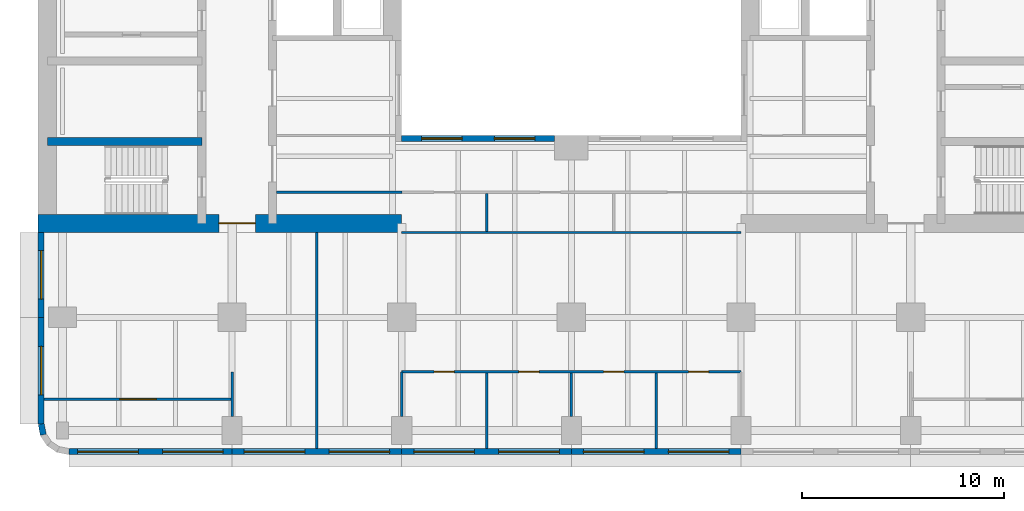
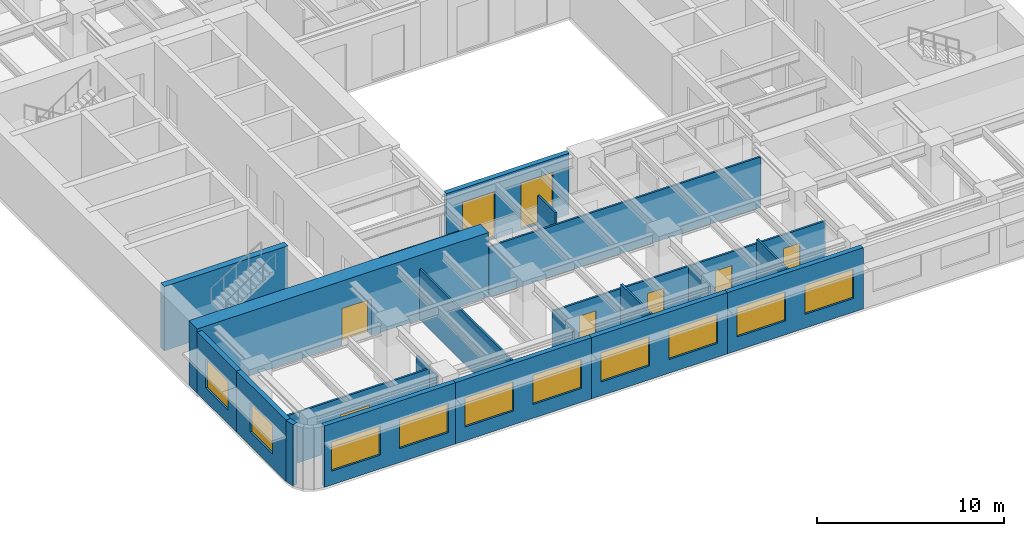
# One storey, part 3 of 11: 21 walls, 12 windows, 6 doors, 18 openings.
"""IFC4 building model written with IfcOpenShell, lengths in metres."""

from ifc_helpers import new_model, si_unit, direction, frame, frame_2d, origin, place, context, subcontext, project, spatial, rectangle, extrude, material, layer, layer_set, type_object, element, fill, save


model = new_model("IFC4")

# Units and contexts
model_context = context("Model", 3, precision=1e-05, world=origin(), true_north=direction((0.0, 1.0)))
body_context = subcontext(model_context, "Body", "Model", "MODEL_VIEW")
ifc_project = project(units=[si_unit("LENGTHUNIT", "METRE"), si_unit("AREAUNIT", "SQUARE_METRE"), si_unit("VOLUMEUNIT", "CUBIC_METRE"), si_unit("PLANEANGLEUNIT", "RADIAN"), si_unit("MASSUNIT", "GRAM", prefix="KILO")], contexts=[model_context])

# Site, building, storey
site_placement = place(None, origin())
site = spatial("IfcSite", under=ifc_project, at=site_placement, CompositionType="ELEMENT")
building_placement = place(site_placement, origin())
building = spatial("IfcBuilding", under=site, at=building_placement, Name="Claustro Exchange Tower", CompositionType="ELEMENT")
storey_placement = place(building_placement, frame((0.0, 0.0, 163.800048828125)))
storey = spatial("IfcBuildingStorey", under=building, at=storey_placement, Name="L37", CompositionType="ELEMENT", Elevation=163.800048828125)

# Wall, opening, door
ifc_material_1 = material(Name="Laminated glass in aluminium frame", Category="aluminium")
ifc_layer_1 = layer(ifc_material_1, 0.1201171875)
ifc_layer_set_1 = layer_set([ifc_layer_1], Name="Laminated glass in aluminium frame")
wall_type_1 = type_object("IfcWallType", Name="P2 120 glazed partition", PredefinedType="PARTITIONING", material=ifc_layer_set_1)
wall_1_placement = place(storey_placement, frame((-0.902099609375, 4.35009765625, 0.0), z_axis=(0.0, 0.0, 1.0), x_axis=(1.0, 0.0, 0.0)))
wall_1 = element("IfcWall", 1, at=wall_1_placement, inside=storey, type_object=wall_type_1, Name="Partition P2 L37", PredefinedType="PARTITIONING", context=body_context, shape_type="SweptSolid", body=[
    extrude(rectangle(XDim=9.244140625, YDim=0.1201171875, at=frame_2d((4.6220703125, 0.0))), origin(), (0.0, 0.0, 1.0), 3.300048828125),
])
opening_1_placement = place(wall_1_placement, frame((3.751953125, 0.0, 0.0)))
opening_1 = element("IfcOpeningElement", 2, at=opening_1_placement, cuts=wall_1, Name="Opening D2", PredefinedType="OPENING", context=body_context, shape_type="SweptSolid", body=[
    extrude(rectangle(XDim=1.800048828125, YDim=2.199951171875, at=frame_2d((0.89990234375, 1.10009765625))), frame((0.0, 0.070068359375, 0.0), z_axis=(0.0, -1.0, 0.0), x_axis=(1.0, 0.0, 0.0)), (0.0, 0.0, 1.0), 0.14013671875),
])
ifc_material_2 = material(Name="Timber door, oak veneer", Category="wood")
door_type_1 = type_object("IfcDoorType", Name="D2 1800 x 2200 double door", OperationType="DOUBLE_DOOR_SINGLE_SWING", PredefinedType="DOOR", material=ifc_material_2)
door_1_placement = place(opening_1_placement, frame((1.800048828125, 0.0, 0.0), z_axis=(0.0, 0.0, 1.0), x_axis=(-1.0, 0.0, 0.0)))
door_1 = element("IfcDoor", 3, at=door_1_placement, inside=storey, type_object=door_type_1, Name="Double door D2 L37", OperationType="DOUBLE_DOOR_SINGLE_SWING", OverallHeight=2.199951171875, OverallWidth=1.800048828125, PredefinedType="DOOR", context=body_context, shape_type="SweptSolid", body=[
    extrude(rectangle(XDim=1.800048828125, YDim=2.199951171875, at=frame_2d((0.89990234375, 1.10009765625))), frame((0.0, 0.02490234375, 0.0), z_axis=(0.0, -1.0, 0.0), x_axis=(1.0, 0.0, 0.0)), (0.0, 0.0, 1.0), 0.050048828125),
])
fill(opening_1, door_1)

# Wall
wall_2_placement = place(storey_placement, frame((8.39990234375, 3.4990234375, 0.0), z_axis=(0.0, 0.0, 1.0), x_axis=(0.0, 1.0, 0.0)))
element("IfcWall", 4, at=wall_2_placement, inside=storey, type_object=wall_type_1, Name="Partition P2 L37", PredefinedType="PARTITIONING", context=body_context, shape_type="SweptSolid", body=[
    extrude(rectangle(XDim=2.200927734375, YDim=0.1201171875, at=frame_2d((1.1005859375, 0.0))), origin(), (0.0, 0.0, 1.0), 3.300048828125),
])

# Wall, openings, doors
wall_3_placement = place(storey_placement, frame((16.800048828125, 5.699951171875, 0.0), z_axis=(0.0, 0.0, 1.0), x_axis=(1.0, 0.0, 0.0)))
wall_3 = element("IfcWall", 5, at=wall_3_placement, inside=storey, type_object=wall_type_1, Name="Partition P2 L37", PredefinedType="PARTITIONING", context=body_context, shape_type="SweptSolid", body=[
    extrude(rectangle(XDim=16.800048828125, YDim=0.1201171875, at=frame_2d((8.39990234375, 0.0))), origin(), (0.0, 0.0, 1.0), 3.300048828125),
])
opening_2_placement = place(wall_3_placement, frame((1.60009765625, 0.0, 0.0)))
opening_2 = element("IfcOpeningElement", 6, at=opening_2_placement, cuts=wall_3, Name="Opening D7", PredefinedType="OPENING", context=body_context, shape_type="SweptSolid", body=[
    extrude(rectangle(XDim=1.0, YDim=2.39990234375, at=frame_2d((0.5, 1.199951171875))), frame((0.0, 0.070068359375, 0.0), z_axis=(0.0, -1.0, 0.0), x_axis=(1.0, 0.0, 0.0)), (0.0, 0.0, 1.0), 0.14013671875),
])
opening_3_placement = place(wall_3_placement, frame((5.800048828125, 0.0, 0.0)))
opening_3 = element("IfcOpeningElement", 7, at=opening_3_placement, cuts=wall_3, Name="Opening D7", PredefinedType="OPENING", context=body_context, shape_type="SweptSolid", body=[
    extrude(rectangle(XDim=1.0, YDim=2.39990234375, at=frame_2d((0.5, 1.199951171875))), frame((0.0, 0.070068359375, 0.0), z_axis=(0.0, -1.0, 0.0), x_axis=(1.0, 0.0, 0.0)), (0.0, 0.0, 1.0), 0.14013671875),
])
opening_4_placement = place(wall_3_placement, frame((10.0, 0.0, 0.0)))
opening_4 = element("IfcOpeningElement", 8, at=opening_4_placement, cuts=wall_3, Name="Opening D7", PredefinedType="OPENING", context=body_context, shape_type="SweptSolid", body=[
    extrude(rectangle(XDim=1.0, YDim=2.39990234375, at=frame_2d((0.5, 1.199951171875))), frame((0.0, 0.070068359375, 0.0), z_axis=(0.0, -1.0, 0.0), x_axis=(1.0, 0.0, 0.0)), (0.0, 0.0, 1.0), 0.14013671875),
])
opening_5_placement = place(wall_3_placement, frame((14.199951171875, 0.0, 0.0)))
opening_5 = element("IfcOpeningElement", 9, at=opening_5_placement, cuts=wall_3, Name="Opening D7", PredefinedType="OPENING", context=body_context, shape_type="SweptSolid", body=[
    extrude(rectangle(XDim=1.0, YDim=2.39990234375, at=frame_2d((0.5, 1.199951171875))), frame((0.0, 0.070068359375, 0.0), z_axis=(0.0, -1.0, 0.0), x_axis=(1.0, 0.0, 0.0)), (0.0, 0.0, 1.0), 0.14013671875),
])
ifc_material_3 = material(Name="Glass door in aluminium frame", Category="aluminium")
door_type_2 = type_object("IfcDoorType", Name="D7 1000 x 2400 glazed door", OperationType="SINGLE_SWING_LEFT", PredefinedType="DOOR", material=ifc_material_3)
door_2_placement = place(opening_2_placement, frame((1.0, 0.0, 0.0), z_axis=(0.0, 0.0, 1.0), x_axis=(-1.0, 0.0, 0.0)))
door_2 = element("IfcDoor", 10, at=door_2_placement, inside=storey, type_object=door_type_2, Name="Door D7 L37", OperationType="SINGLE_SWING_LEFT", OverallHeight=2.39990234375, OverallWidth=1.0, PredefinedType="DOOR", context=body_context, shape_type="SweptSolid", body=[
    extrude(rectangle(XDim=1.0, YDim=2.39990234375, at=frame_2d((0.5, 1.199951171875))), frame((0.0, 0.02490234375, 0.0), z_axis=(0.0, -1.0, 0.0), x_axis=(1.0, 0.0, 0.0)), (0.0, 0.0, 1.0), 0.050048828125),
])
fill(opening_2, door_2)
door_3_placement = place(opening_3_placement, frame((1.0, 0.0, 0.0), z_axis=(0.0, 0.0, 1.0), x_axis=(-1.0, 0.0, 0.0)))
door_3 = element("IfcDoor", 11, at=door_3_placement, inside=storey, type_object=door_type_2, Name="Door D7 L37", OperationType="SINGLE_SWING_LEFT", OverallHeight=2.39990234375, OverallWidth=1.0, PredefinedType="DOOR", context=body_context, shape_type="SweptSolid", body=[
    extrude(rectangle(XDim=1.0, YDim=2.39990234375, at=frame_2d((0.5, 1.199951171875))), frame((0.0, 0.02490234375, 0.0), z_axis=(0.0, -1.0, 0.0), x_axis=(1.0, 0.0, 0.0)), (0.0, 0.0, 1.0), 0.050048828125),
])
fill(opening_3, door_3)
door_4_placement = place(opening_4_placement, frame((1.0, 0.0, 0.0), z_axis=(0.0, 0.0, 1.0), x_axis=(-1.0, 0.0, 0.0)))
door_4 = element("IfcDoor", 12, at=door_4_placement, inside=storey, type_object=door_type_2, Name="Door D7 L37", OperationType="SINGLE_SWING_LEFT", OverallHeight=2.39990234375, OverallWidth=1.0, PredefinedType="DOOR", context=body_context, shape_type="SweptSolid", body=[
    extrude(rectangle(XDim=1.0, YDim=2.39990234375, at=frame_2d((0.5, 1.199951171875))), frame((0.0, 0.02490234375, 0.0), z_axis=(0.0, -1.0, 0.0), x_axis=(1.0, 0.0, 0.0)), (0.0, 0.0, 1.0), 0.050048828125),
])
fill(opening_4, door_4)
door_5_placement = place(opening_5_placement, frame((1.0, 0.0, 0.0), z_axis=(0.0, 0.0, 1.0), x_axis=(-1.0, 0.0, 0.0)))
door_5 = element("IfcDoor", 13, at=door_5_placement, inside=storey, type_object=door_type_2, Name="Door D7 L37", OperationType="SINGLE_SWING_RIGHT", OverallHeight=2.39990234375, OverallWidth=1.0, PredefinedType="DOOR", context=body_context, shape_type="SweptSolid", body=[
    extrude(rectangle(XDim=1.0, YDim=2.39990234375, at=frame_2d((0.5, 1.199951171875))), frame((0.0, 0.02490234375, 0.0), z_axis=(0.0, -1.0, 0.0), x_axis=(1.0, 0.0, 0.0)), (0.0, 0.0, 1.0), 0.050048828125),
])
fill(opening_5, door_5)

# Walls
wall_4_placement = place(storey_placement, frame((16.800048828125, 3.4990234375, 0.0), z_axis=(0.0, 0.0, 1.0), x_axis=(0.0, 1.0, 0.0)))
element("IfcWall", 14, at=wall_4_placement, inside=storey, type_object=wall_type_1, Name="Partition P2 L37", PredefinedType="PARTITIONING", context=body_context, shape_type="SweptSolid", body=[
    extrude(rectangle(XDim=2.200927734375, YDim=0.1201171875, at=frame_2d((1.1005859375, 0.0))), origin(), (0.0, 0.0, 1.0), 3.300048828125),
])
wall_5_placement = place(storey_placement, frame((21.0, 1.89794921875, 0.0), z_axis=(0.0, 0.0, 1.0), x_axis=(0.0, 1.0, 0.0)))
element("IfcWall", 15, at=wall_5_placement, inside=storey, type_object=wall_type_1, Name="Partition P2 L37", PredefinedType="PARTITIONING", context=body_context, shape_type="SweptSolid", body=[
    extrude(rectangle(XDim=3.744140625, YDim=0.1201171875, at=frame_2d((1.8720703125, 0.0))), origin(), (0.0, 0.0, 1.0), 3.593017578125),
])
wall_6_placement = place(storey_placement, frame((25.199951171875, 3.4990234375, 0.0), z_axis=(0.0, 0.0, 1.0), x_axis=(0.0, 1.0, 0.0)))
element("IfcWall", 16, at=wall_6_placement, inside=storey, type_object=wall_type_1, Name="Partition P2 L37", PredefinedType="PARTITIONING", context=body_context, shape_type="SweptSolid", body=[
    extrude(rectangle(XDim=2.14306640625, YDim=0.1201171875, at=frame_2d((1.071533203125, 0.0))), origin(), (0.0, 0.0, 1.0), 3.300048828125),
])
wall_7_placement = place(storey_placement, frame((29.39990234375, 1.89794921875, 0.0), z_axis=(0.0, 0.0, 1.0), x_axis=(0.0, 1.0, 0.0)))
element("IfcWall", 17, at=wall_7_placement, inside=storey, type_object=wall_type_1, Name="Partition P2 L37", PredefinedType="PARTITIONING", context=body_context, shape_type="SweptSolid", body=[
    extrude(rectangle(XDim=3.744140625, YDim=0.1201171875, at=frame_2d((1.8720703125, 0.0))), origin(), (0.0, 0.0, 1.0), 3.593017578125),
])
wall_8_placement = place(storey_placement, frame((12.60009765625, 1.89794921875, 0.0), z_axis=(0.0, 0.0, 1.0), x_axis=(0.0, 1.0, 0.0)))
element("IfcWall", 18, at=wall_8_placement, inside=storey, type_object=wall_type_1, Name="Partition P2 L37", PredefinedType="PARTITIONING", context=body_context, shape_type="SweptSolid", body=[
    extrude(rectangle(XDim=10.7041015625, YDim=0.1201171875, at=frame_2d((5.35205078125, 0.0))), origin(), (0.0, 0.0, 1.0), 3.300048828125),
])
wall_9_placement = place(storey_placement, frame((10.597900390625, 14.60009765625, 0.0), z_axis=(0.0, 0.0, 1.0), x_axis=(1.0, 0.0, 0.0)))
element("IfcWall", 19, at=wall_9_placement, inside=storey, type_object=wall_type_1, Name="Partition P2 L37", PredefinedType="PARTITIONING", context=body_context, shape_type="SweptSolid", body=[
    extrude(rectangle(XDim=6.2041015625, YDim=0.1201171875, at=frame_2d((3.10205078125, 0.0))), origin(), (0.0, 0.0, 1.0), 3.300048828125),
])
wall_10_placement = place(storey_placement, frame((21.0, 12.657958984375, 0.0), z_axis=(0.0, 0.0, 1.0), x_axis=(0.0, 1.0, 0.0)))
element("IfcWall", 20, at=wall_10_placement, inside=storey, type_object=wall_type_1, Name="Partition P2 L37", PredefinedType="PARTITIONING", context=body_context, shape_type="SweptSolid", body=[
    extrude(rectangle(XDim=1.884033203125, YDim=0.1201171875, at=frame_2d((0.94189453125, 0.0))), origin(), (0.0, 0.0, 1.0), 4.0),
])
wall_11_placement = place(storey_placement, frame((16.800048828125, 12.60009765625, 0.0), z_axis=(0.0, 0.0, 1.0), x_axis=(1.0, 0.0, 0.0)))
element("IfcWall", 21, at=wall_11_placement, inside=storey, type_object=wall_type_1, Name="Partition P2 L37", PredefinedType="PARTITIONING", context=body_context, shape_type="SweptSolid", body=[
    extrude(rectangle(XDim=16.800048828125, YDim=0.1201171875, at=frame_2d((8.39990234375, 0.0))), origin(), (0.0, 0.0, 1.0), 3.300048828125),
])

# Wall, openings, windows
ifc_material_4 = material(Name="Concrete HA-40 (C40/50), precast, white cement, acid-etched", Category="concrete")
ifc_layer_2 = layer(ifc_material_4, 0.300048828125)
ifc_layer_set_2 = layer_set([ifc_layer_2], Name="Concrete HA-40 (C40/50), precast, white cement, acid-etched")
wall_type_2 = type_object("IfcWallType", Name="PC1 300 precast concrete pier panel", PredefinedType="SOLIDWALL", material=ifc_layer_set_2)
wall_12_placement = place(storey_placement, frame((33.60009765625, 1.75, 0.0), z_axis=(0.0, 0.0, 1.0), x_axis=(-1.0, 0.0, 0.0)))
wall_12 = element("IfcWall", 22, at=wall_12_placement, inside=storey, type_object=wall_type_2, Name="Precast pier panel PC1 L37", PredefinedType="SOLIDWALL", context=body_context, shape_type="SweptSolid", body=[
    extrude(rectangle(XDim=8.400146484375, YDim=0.300048828125, at=frame_2d((4.2001953125, 0.0))), origin(), (0.0, 0.0, 1.0), 4.0),
])
opening_6_placement = place(wall_12_placement, frame((0.60009765625, 0.0, 0.89990234375)))
opening_6 = element("IfcOpeningElement", 23, at=opening_6_placement, cuts=wall_12, Name="Opening W1", PredefinedType="OPENING", context=body_context, shape_type="SweptSolid", body=[
    extrude(rectangle(XDim=3.0, YDim=1.89990234375, at=frame_2d((1.5, 0.949951171875))), frame((0.0, 0.159912109375, 0.0), z_axis=(0.0, -1.0, 0.0), x_axis=(1.0, 0.0, 0.0)), (0.0, 0.0, 1.0), 0.320068359375),
])
opening_7_placement = place(wall_12_placement, frame((4.800048828125, 0.0, 0.89990234375)))
opening_7 = element("IfcOpeningElement", 24, at=opening_7_placement, cuts=wall_12, Name="Opening W1", PredefinedType="OPENING", context=body_context, shape_type="SweptSolid", body=[
    extrude(rectangle(XDim=3.0, YDim=1.89990234375, at=frame_2d((1.5, 0.949951171875))), frame((0.0, 0.159912109375, 0.0), z_axis=(0.0, -1.0, 0.0), x_axis=(1.0, 0.0, 0.0)), (0.0, 0.0, 1.0), 0.320068359375),
])
ifc_material_5 = material(Name="Aluminium frame, clear double glazing", Category="aluminium")
window_type_1 = type_object("IfcWindowType", Name="W1 3000 x 1900 window", PartitioningType="SINGLE_PANEL", PredefinedType="WINDOW", material=ifc_material_5)
window_1_placement = place(opening_6_placement, origin())
window_1 = element("IfcWindow", 25, at=window_1_placement, inside=storey, type_object=window_type_1, Name="Window W1 L37", OverallHeight=1.89990234375, OverallWidth=3.0, PartitioningType="SINGLE_PANEL", PredefinedType="WINDOW", context=body_context, shape_type="SweptSolid", body=[
    extrude(rectangle(XDim=3.0, YDim=1.89990234375, at=frame_2d((1.5, 0.949951171875))), frame((0.0, 0.030029296875, 0.0), z_axis=(0.0, -1.0, 0.0), x_axis=(1.0, 0.0, 0.0)), (0.0, 0.0, 1.0), 0.06005859375),
])
fill(opening_6, window_1)
window_2_placement = place(opening_7_placement, origin())
window_2 = element("IfcWindow", 26, at=window_2_placement, inside=storey, type_object=window_type_1, Name="Window W1 L37", OverallHeight=1.89990234375, OverallWidth=3.0, PartitioningType="SINGLE_PANEL", PredefinedType="WINDOW", context=body_context, shape_type="SweptSolid", body=[
    extrude(rectangle(XDim=3.0, YDim=1.89990234375, at=frame_2d((1.5, 0.949951171875))), frame((0.0, 0.030029296875, 0.0), z_axis=(0.0, -1.0, 0.0), x_axis=(1.0, 0.0, 0.0)), (0.0, 0.0, 1.0), 0.06005859375),
])
fill(opening_7, window_2)

wall_13_placement = place(storey_placement, frame((25.199951171875, 1.75, 0.0), z_axis=(0.0, 0.0, 1.0), x_axis=(-1.0, 0.0, 0.0)))
wall_13 = element("IfcWall", 27, at=wall_13_placement, inside=storey, type_object=wall_type_2, Name="Precast pier panel PC1 L37", PredefinedType="SOLIDWALL", context=body_context, shape_type="SweptSolid", body=[
    extrude(rectangle(XDim=8.39990234375, YDim=0.300048828125, at=frame_2d((4.199951171875, 0.0))), origin(), (0.0, 0.0, 1.0), 4.0),
])
opening_8_placement = place(wall_13_placement, frame((0.60009765625, 0.0, 0.89990234375)))
opening_8 = element("IfcOpeningElement", 28, at=opening_8_placement, cuts=wall_13, Name="Opening W1", PredefinedType="OPENING", context=body_context, shape_type="SweptSolid", body=[
    extrude(rectangle(XDim=3.0, YDim=1.89990234375, at=frame_2d((1.5, 0.949951171875))), frame((0.0, 0.159912109375, 0.0), z_axis=(0.0, -1.0, 0.0), x_axis=(1.0, 0.0, 0.0)), (0.0, 0.0, 1.0), 0.320068359375),
])
opening_9_placement = place(wall_13_placement, frame((4.800048828125, 0.0, 0.89990234375)))
opening_9 = element("IfcOpeningElement", 29, at=opening_9_placement, cuts=wall_13, Name="Opening W1", PredefinedType="OPENING", context=body_context, shape_type="SweptSolid", body=[
    extrude(rectangle(XDim=3.0, YDim=1.89990234375, at=frame_2d((1.5, 0.949951171875))), frame((0.0, 0.159912109375, 0.0), z_axis=(0.0, -1.0, 0.0), x_axis=(1.0, 0.0, 0.0)), (0.0, 0.0, 1.0), 0.320068359375),
])
window_3_placement = place(opening_8_placement, origin())
window_3 = element("IfcWindow", 30, at=window_3_placement, inside=storey, type_object=window_type_1, Name="Window W1 L37", OverallHeight=1.89990234375, OverallWidth=3.0, PartitioningType="SINGLE_PANEL", PredefinedType="WINDOW", context=body_context, shape_type="SweptSolid", body=[
    extrude(rectangle(XDim=3.0, YDim=1.89990234375, at=frame_2d((1.5, 0.949951171875))), frame((0.0, 0.030029296875, 0.0), z_axis=(0.0, -1.0, 0.0), x_axis=(1.0, 0.0, 0.0)), (0.0, 0.0, 1.0), 0.06005859375),
])
fill(opening_8, window_3)
window_4_placement = place(opening_9_placement, origin())
window_4 = element("IfcWindow", 31, at=window_4_placement, inside=storey, type_object=window_type_1, Name="Window W1 L37", OverallHeight=1.89990234375, OverallWidth=3.0, PartitioningType="SINGLE_PANEL", PredefinedType="WINDOW", context=body_context, shape_type="SweptSolid", body=[
    extrude(rectangle(XDim=3.0, YDim=1.89990234375, at=frame_2d((1.5, 0.949951171875))), frame((0.0, 0.030029296875, 0.0), z_axis=(0.0, -1.0, 0.0), x_axis=(1.0, 0.0, 0.0)), (0.0, 0.0, 1.0), 0.06005859375),
])
fill(opening_9, window_4)

wall_14_placement = place(storey_placement, frame((16.800048828125, 1.75, 0.0), z_axis=(0.0, 0.0, 1.0), x_axis=(-1.0, 0.0, 0.0)))
wall_14 = element("IfcWall", 32, at=wall_14_placement, inside=storey, type_object=wall_type_2, Name="Precast pier panel PC1 L37", PredefinedType="SOLIDWALL", context=body_context, shape_type="SweptSolid", body=[
    extrude(rectangle(XDim=8.400146484375, YDim=0.300048828125, at=frame_2d((4.2001953125, 0.0))), origin(), (0.0, 0.0, 1.0), 4.0),
])
opening_10_placement = place(wall_14_placement, frame((0.60009765625, 0.0, 0.89990234375)))
opening_10 = element("IfcOpeningElement", 33, at=opening_10_placement, cuts=wall_14, Name="Opening W1", PredefinedType="OPENING", context=body_context, shape_type="SweptSolid", body=[
    extrude(rectangle(XDim=3.0, YDim=1.89990234375, at=frame_2d((1.5, 0.949951171875))), frame((0.0, 0.159912109375, 0.0), z_axis=(0.0, -1.0, 0.0), x_axis=(1.0, 0.0, 0.0)), (0.0, 0.0, 1.0), 0.320068359375),
])
opening_11_placement = place(wall_14_placement, frame((4.800048828125, 0.0, 0.89990234375)))
opening_11 = element("IfcOpeningElement", 34, at=opening_11_placement, cuts=wall_14, Name="Opening W1", PredefinedType="OPENING", context=body_context, shape_type="SweptSolid", body=[
    extrude(rectangle(XDim=3.0, YDim=1.89990234375, at=frame_2d((1.5, 0.949951171875))), frame((0.0, 0.159912109375, 0.0), z_axis=(0.0, -1.0, 0.0), x_axis=(1.0, 0.0, 0.0)), (0.0, 0.0, 1.0), 0.320068359375),
])
window_5_placement = place(opening_10_placement, origin())
window_5 = element("IfcWindow", 35, at=window_5_placement, inside=storey, type_object=window_type_1, Name="Window W1 L37", OverallHeight=1.89990234375, OverallWidth=3.0, PartitioningType="SINGLE_PANEL", PredefinedType="WINDOW", context=body_context, shape_type="SweptSolid", body=[
    extrude(rectangle(XDim=3.0, YDim=1.89990234375, at=frame_2d((1.5, 0.949951171875))), frame((0.0, 0.030029296875, 0.0), z_axis=(0.0, -1.0, 0.0), x_axis=(1.0, 0.0, 0.0)), (0.0, 0.0, 1.0), 0.06005859375),
])
fill(opening_10, window_5)
window_6_placement = place(opening_11_placement, origin())
window_6 = element("IfcWindow", 36, at=window_6_placement, inside=storey, type_object=window_type_1, Name="Window W1 L37", OverallHeight=1.89990234375, OverallWidth=3.0, PartitioningType="SINGLE_PANEL", PredefinedType="WINDOW", context=body_context, shape_type="SweptSolid", body=[
    extrude(rectangle(XDim=3.0, YDim=1.89990234375, at=frame_2d((1.5, 0.949951171875))), frame((0.0, 0.030029296875, 0.0), z_axis=(0.0, -1.0, 0.0), x_axis=(1.0, 0.0, 0.0)), (0.0, 0.0, 1.0), 0.06005859375),
])
fill(opening_11, window_6)

wall_15_placement = place(storey_placement, frame((8.39990234375, 1.75, 0.0), z_axis=(0.0, 0.0, 1.0), x_axis=(-1.0, 0.0, 0.0)))
wall_15 = element("IfcWall", 37, at=wall_15_placement, inside=storey, type_object=wall_type_2, Name="Precast pier panel PC1 L37", PredefinedType="SOLIDWALL", context=body_context, shape_type="SweptSolid", body=[
    extrude(rectangle(XDim=8.085205078125, YDim=0.300048828125, at=frame_2d((4.04248046875, 0.0))), origin(), (0.0, 0.0, 1.0), 4.0),
])
opening_12_placement = place(wall_15_placement, frame((0.442626953125, 0.0, 0.89990234375)))
opening_12 = element("IfcOpeningElement", 38, at=opening_12_placement, cuts=wall_15, Name="Opening W1", PredefinedType="OPENING", context=body_context, shape_type="SweptSolid", body=[
    extrude(rectangle(XDim=3.0, YDim=1.89990234375, at=frame_2d((1.5, 0.949951171875))), frame((0.0, 0.159912109375, 0.0), z_axis=(0.0, -1.0, 0.0), x_axis=(1.0, 0.0, 0.0)), (0.0, 0.0, 1.0), 0.320068359375),
])
opening_13_placement = place(wall_15_placement, frame((4.642578125, 0.0, 0.89990234375)))
opening_13 = element("IfcOpeningElement", 39, at=opening_13_placement, cuts=wall_15, Name="Opening W1", PredefinedType="OPENING", context=body_context, shape_type="SweptSolid", body=[
    extrude(rectangle(XDim=3.0, YDim=1.89990234375, at=frame_2d((1.5, 0.949951171875))), frame((0.0, 0.159912109375, 0.0), z_axis=(0.0, -1.0, 0.0), x_axis=(1.0, 0.0, 0.0)), (0.0, 0.0, 1.0), 0.320068359375),
])
window_7_placement = place(opening_12_placement, origin())
window_7 = element("IfcWindow", 40, at=window_7_placement, inside=storey, type_object=window_type_1, Name="Window W1 L37", OverallHeight=1.89990234375, OverallWidth=3.0, PartitioningType="SINGLE_PANEL", PredefinedType="WINDOW", context=body_context, shape_type="SweptSolid", body=[
    extrude(rectangle(XDim=3.0, YDim=1.89990234375, at=frame_2d((1.5, 0.949951171875))), frame((0.0, 0.030029296875, 0.0), z_axis=(0.0, -1.0, 0.0), x_axis=(1.0, 0.0, 0.0)), (0.0, 0.0, 1.0), 0.06005859375),
])
fill(opening_12, window_7)
window_8_placement = place(opening_13_placement, origin())
window_8 = element("IfcWindow", 41, at=window_8_placement, inside=storey, type_object=window_type_1, Name="Window W1 L37", OverallHeight=1.89990234375, OverallWidth=3.0, PartitioningType="SINGLE_PANEL", PredefinedType="WINDOW", context=body_context, shape_type="SweptSolid", body=[
    extrude(rectangle(XDim=3.0, YDim=1.89990234375, at=frame_2d((1.5, 0.949951171875))), frame((0.0, 0.030029296875, 0.0), z_axis=(0.0, -1.0, 0.0), x_axis=(1.0, 0.0, 0.0)), (0.0, 0.0, 1.0), 0.06005859375),
])
fill(opening_13, window_8)

# Wall
wall_16_placement = place(storey_placement, frame((-0.944580078125, 2.58447265625, 0.0), z_axis=(0.0, 0.0, 1.0), x_axis=(-0.195073962632, 0.980788534345, 0.0)))
element("IfcWall", 42, at=wall_16_placement, inside=storey, type_object=wall_type_2, Name="Precast pier panel PC1 L37", PredefinedType="SOLIDWALL", context=body_context, shape_type="SweptSolid", body=[
    extrude(rectangle(XDim=0.540771484375, YDim=0.300048828125, at=frame_2d((0.2705078125, 0.0))), origin(), (0.0, 0.0, 1.0), 4.0),
])

# Wall, opening, window
wall_17_placement = place(storey_placement, frame((-1.050048828125, 3.11474609375, 0.0), z_axis=(0.0, 0.0, 1.0), x_axis=(0.0, 1.0, 0.0)))
wall_17 = element("IfcWall", 43, at=wall_17_placement, inside=storey, type_object=wall_type_2, Name="Precast pier panel PC1 L37", PredefinedType="SOLIDWALL", context=body_context, shape_type="SweptSolid", body=[
    extrude(rectangle(XDim=5.28515625, YDim=0.300048828125, at=frame_2d((2.642578125, 0.0))), origin(), (0.0, 0.0, 1.0), 4.0),
])
opening_14_placement = place(wall_17_placement, frame((1.442626953125, 0.0, 0.89990234375)))
opening_14 = element("IfcOpeningElement", 44, at=opening_14_placement, cuts=wall_17, Name="Opening W2", PredefinedType="OPENING", context=body_context, shape_type="SweptSolid", body=[
    extrude(rectangle(XDim=2.39990234375, YDim=1.89990234375, at=frame_2d((1.199951171875, 0.949951171875))), frame((0.0, 0.159912109375, 0.0), z_axis=(0.0, -1.0, 0.0), x_axis=(1.0, 0.0, 0.0)), (0.0, 0.0, 1.0), 0.320068359375),
])
ifc_material_6 = material(Name="Aluminium frame, clear double glazing", Category="aluminium")
window_type_2 = type_object("IfcWindowType", Name="W2 2400 x 1900 window", PartitioningType="SINGLE_PANEL", PredefinedType="WINDOW", material=ifc_material_6)
window_9_placement = place(opening_14_placement, origin())
window_9 = element("IfcWindow", 45, at=window_9_placement, inside=storey, type_object=window_type_2, Name="Window W2 L37", OverallHeight=1.89990234375, OverallWidth=2.39990234375, PartitioningType="SINGLE_PANEL", PredefinedType="WINDOW", context=body_context, shape_type="SweptSolid", body=[
    extrude(rectangle(XDim=2.39990234375, YDim=1.89990234375, at=frame_2d((1.199951171875, 0.949951171875))), frame((0.0, 0.030029296875, 0.0), z_axis=(0.0, -1.0, 0.0), x_axis=(1.0, 0.0, 0.0)), (0.0, 0.0, 1.0), 0.06005859375),
])
fill(opening_14, window_9)

wall_18_placement = place(storey_placement, frame((-1.050048828125, 8.39990234375, 0.0), z_axis=(0.0, 0.0, 1.0), x_axis=(0.0, 1.0, 0.0)))
wall_18 = element("IfcWall", 46, at=wall_18_placement, inside=storey, type_object=wall_type_2, Name="Precast pier panel PC1 L37", PredefinedType="SOLIDWALL", context=body_context, shape_type="SweptSolid", body=[
    extrude(rectangle(XDim=4.2001953125, YDim=0.300048828125, at=frame_2d((2.10009765625, 0.0))), origin(), (0.0, 0.0, 1.0), 4.0),
])
opening_15_placement = place(wall_18_placement, frame((0.89990234375, 0.0, 0.89990234375)))
opening_15 = element("IfcOpeningElement", 47, at=opening_15_placement, cuts=wall_18, Name="Opening W2", PredefinedType="OPENING", context=body_context, shape_type="SweptSolid", body=[
    extrude(rectangle(XDim=2.39990234375, YDim=1.89990234375, at=frame_2d((1.199951171875, 0.949951171875))), frame((0.0, 0.159912109375, 0.0), z_axis=(0.0, -1.0, 0.0), x_axis=(1.0, 0.0, 0.0)), (0.0, 0.0, 1.0), 0.320068359375),
])
window_10_placement = place(opening_15_placement, origin())
window_10 = element("IfcWindow", 48, at=window_10_placement, inside=storey, type_object=window_type_2, Name="Window W2 L37", OverallHeight=1.89990234375, OverallWidth=2.39990234375, PartitioningType="SINGLE_PANEL", PredefinedType="WINDOW", context=body_context, shape_type="SweptSolid", body=[
    extrude(rectangle(XDim=2.39990234375, YDim=1.89990234375, at=frame_2d((1.199951171875, 0.949951171875))), frame((0.0, 0.030029296875, 0.0), z_axis=(0.0, -1.0, 0.0), x_axis=(1.0, 0.0, 0.0)), (0.0, 0.0, 1.0), 0.06005859375),
])
fill(opening_15, window_10)

# Wall, openings, windows
wall_19_placement = place(storey_placement, frame((16.800048828125, 17.25, 0.0), z_axis=(0.0, 0.0, 1.0), x_axis=(1.0, 0.0, 0.0)))
wall_19 = element("IfcWall", 49, at=wall_19_placement, inside=storey, type_object=wall_type_2, Name="Precast pier panel PC1 L37", PredefinedType="SOLIDWALL", context=body_context, shape_type="SweptSolid", body=[
    extrude(rectangle(XDim=7.574951171875, YDim=0.300048828125, at=frame_2d((3.78759765625, 0.0))), origin(), (0.0, 0.0, 1.0), 4.0),
])
opening_16_placement = place(wall_19_placement, frame((0.987548828125, 0.0, 0.10009765625)))
opening_16 = element("IfcOpeningElement", 50, at=opening_16_placement, cuts=wall_19, Name="Opening W-A", PredefinedType="OPENING", context=body_context, shape_type="SweptSolid", body=[
    extrude(rectangle(XDim=2.0, YDim=3.0, at=frame_2d((1.0, 1.5))), frame((0.0, 0.159912109375, 0.0), z_axis=(0.0, -1.0, 0.0), x_axis=(1.0, 0.0, 0.0)), (0.0, 0.0, 1.0), 0.320068359375),
])
opening_17_placement = place(wall_19_placement, frame((4.58740234375, 0.0, 0.10009765625)))
opening_17 = element("IfcOpeningElement", 51, at=opening_17_placement, cuts=wall_19, Name="Opening W-A", PredefinedType="OPENING", context=body_context, shape_type="SweptSolid", body=[
    extrude(rectangle(XDim=2.0, YDim=3.0, at=frame_2d((1.0, 1.5))), frame((0.0, 0.159912109375, 0.0), z_axis=(0.0, -1.0, 0.0), x_axis=(1.0, 0.0, 0.0)), (0.0, 0.0, 1.0), 0.320068359375),
])
ifc_material_7 = material(Name="Aluminium frame, clear double glazing", Category="aluminium")
window_type_3 = type_object("IfcWindowType", Name="W-A 2000 x 3000 arcade window", PartitioningType="SINGLE_PANEL", PredefinedType="WINDOW", material=ifc_material_7)
window_11_placement = place(opening_16_placement, origin())
window_11 = element("IfcWindow", 52, at=window_11_placement, inside=storey, type_object=window_type_3, Name="Window W-A L37", OverallHeight=3.0, OverallWidth=2.0, PartitioningType="SINGLE_PANEL", PredefinedType="WINDOW", context=body_context, shape_type="SweptSolid", body=[
    extrude(rectangle(XDim=2.0, YDim=3.0, at=frame_2d((1.0, 1.5))), frame((0.0, 0.030029296875, 0.0), z_axis=(0.0, -1.0, 0.0), x_axis=(1.0, 0.0, 0.0)), (0.0, 0.0, 1.0), 0.06005859375),
])
fill(opening_16, window_11)
window_12_placement = place(opening_17_placement, origin())
window_12 = element("IfcWindow", 53, at=window_12_placement, inside=storey, type_object=window_type_3, Name="Window W-A L37", OverallHeight=3.0, OverallWidth=2.0, PartitioningType="SINGLE_PANEL", PredefinedType="WINDOW", context=body_context, shape_type="SweptSolid", body=[
    extrude(rectangle(XDim=2.0, YDim=3.0, at=frame_2d((1.0, 1.5))), frame((0.0, 0.030029296875, 0.0), z_axis=(0.0, -1.0, 0.0), x_axis=(1.0, 0.0, 0.0)), (0.0, 0.0, 1.0), 0.06005859375),
])
fill(opening_17, window_12)

# Wall, opening, door
ifc_material_8 = material(Name="Concrete HA-70 (C70/85)", Category="concrete")
ifc_layer_3 = layer(ifc_material_8, 0.89990234375)
ifc_layer_set_3 = layer_set([ifc_layer_3], Name="Concrete HA-70 (C70/85)")
wall_type_3 = type_object("IfcWallType", Name="SW1 900 core shear wall", PredefinedType="SHEAR", material=ifc_layer_set_3)
wall_20_placement = place(storey_placement, frame((-1.199951171875, 13.050048828125, 0.0), z_axis=(0.0, 0.0, 1.0), x_axis=(1.0, 0.0, 0.0)))
wall_20 = element("IfcWall", 54, at=wall_20_placement, inside=storey, type_object=wall_type_3, Name="Core wall SW1 W core S face L37", PredefinedType="SHEAR", context=body_context, shape_type="SweptSolid", body=[
    extrude(rectangle(XDim=18.0, YDim=0.89990234375, at=frame_2d((9.0, 0.0))), origin(), (0.0, 0.0, 1.0), 4.199951171875),
])
opening_18_placement = place(wall_20_placement, frame((8.949951171875, 0.0, 0.0)))
opening_18 = element("IfcOpeningElement", 55, at=opening_18_placement, cuts=wall_20, Name="Opening D3", PredefinedType="OPENING", context=body_context, shape_type="SweptSolid", body=[
    extrude(rectangle(XDim=1.800048828125, YDim=2.39990234375, at=frame_2d((0.89990234375, 1.199951171875))), frame((0.0, 0.4599609375, 0.0), z_axis=(0.0, -1.0, 0.0), x_axis=(1.0, 0.0, 0.0)), (0.0, 0.0, 1.0), 0.919921875),
])
ifc_material_9 = material(Name="Steel fire door, painted", Category="steel")
door_type_3 = type_object("IfcDoorType", Name="D3 1800 x 2400 fire-rated lobby double door", OperationType="DOUBLE_DOOR_SINGLE_SWING", PredefinedType="DOOR", material=ifc_material_9)
door_6_placement = place(opening_18_placement, frame((1.800048828125, 0.0, 0.0), z_axis=(0.0, 0.0, 1.0), x_axis=(-1.0, 0.0, 0.0)))
door_6 = element("IfcDoor", 56, at=door_6_placement, inside=storey, type_object=door_type_3, Name="Lift lobby door D3 L37", OperationType="DOUBLE_DOOR_SINGLE_SWING", OverallHeight=2.39990234375, OverallWidth=1.800048828125, PredefinedType="DOOR", context=body_context, shape_type="SweptSolid", body=[
    extrude(rectangle(XDim=1.800048828125, YDim=2.39990234375, at=frame_2d((0.89990234375, 1.199951171875))), frame((0.0, 0.02490234375, 0.0), z_axis=(0.0, -1.0, 0.0), x_axis=(1.0, 0.0, 0.0)), (0.0, 0.0, 1.0), 0.050048828125),
])
fill(opening_18, door_6)

# Wall
ifc_material_10 = material(Name="Concrete HA-50 (C50/60)", Category="concrete")
ifc_layer_4 = layer(ifc_material_10, 0.39990234375)
ifc_layer_set_4 = layer_set([ifc_layer_4], Name="Concrete HA-50 (C50/60)")
wall_type_4 = type_object("IfcWallType", Name="SW4 400 internal core wall", PredefinedType="SHEAR", material=ifc_layer_set_4)
wall_21_placement = place(storey_placement, frame((-0.75, 17.10009765625, 0.0), z_axis=(0.0, 0.0, 1.0), x_axis=(1.0, 0.0, 0.0)))
element("IfcWall", 57, at=wall_21_placement, inside=storey, type_object=wall_type_4, Name="Internal core wall SW4 W core L37", PredefinedType="SHEAR", context=body_context, shape_type="SweptSolid", body=[
    extrude(rectangle(XDim=7.64990234375, YDim=0.39990234375, at=frame_2d((3.824951171875, 0.0))), origin(), (0.0, 0.0, 1.0), 4.199951171875),
])

save(model, "model.ifc")
